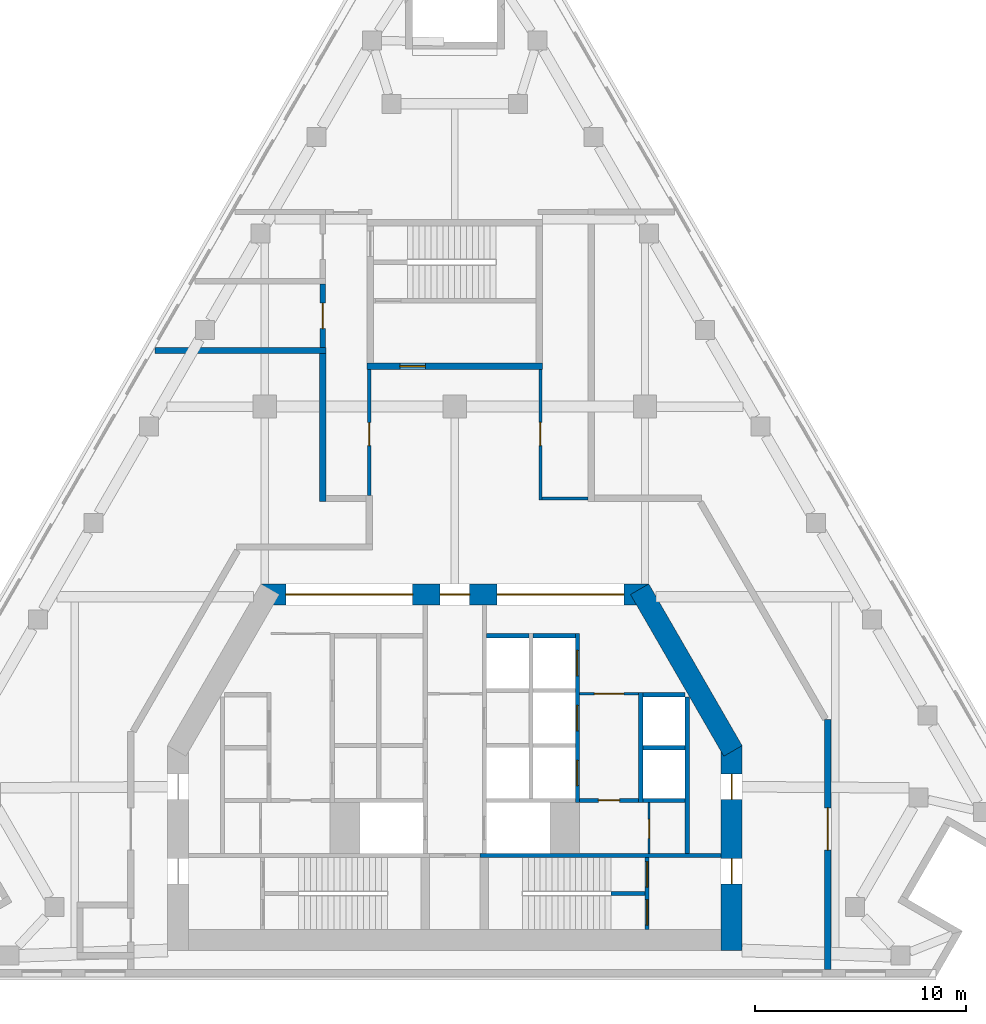
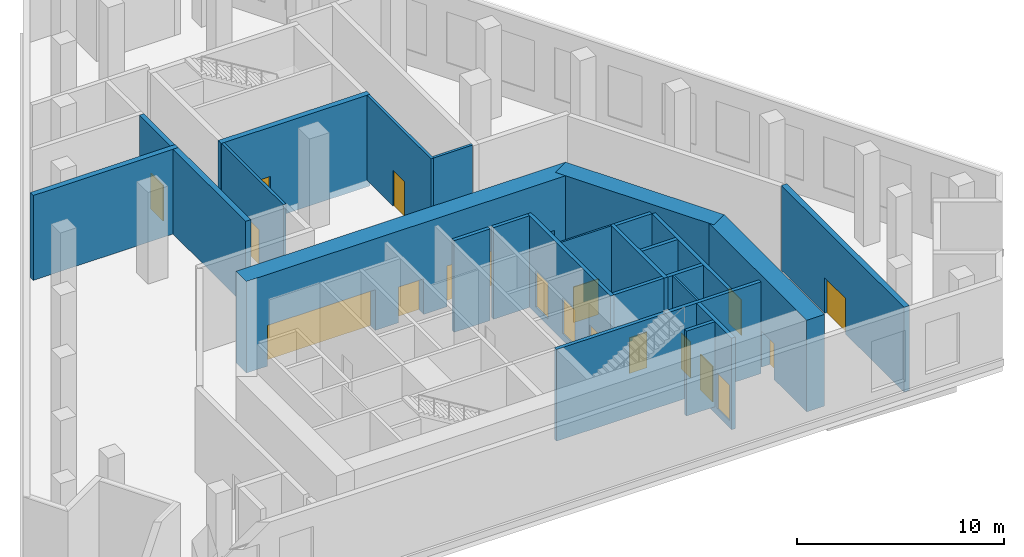
# One storey, part 4 of 7: 25 walls, 18 doors, 18 openings.
"""IFC4 building model written with IfcOpenShell, lengths in metres."""

import ifcopenshell
import ifcopenshell.guid

model = None  # the IFC model being written
_history = None  # IfcOwnerHistory: only IFC2X3 demands one
_inside = {}  # id of a spatial element -> (the spatial element, [elements in it])
_under = {}  # id of a project, library or spatial element -> (it, [spatial elements below it])
_declared = {}  # id of a project -> (the project, [libraries it declares])
_typed = {}  # id of a type object -> (the type object, [elements of that type])
_made_of = {}  # id of a material, layer set ... -> (it, [elements and type objects made of it])


def new_model(schema):
    """Start an empty IFC model of exactly this schema.

    Asked for "IFC4X3", IfcOpenShell would pick the latest addendum, in which some entities
    have other attributes; the version numbers below select the first issue.
    IFC2X3 requires an IfcOwnerHistory on every rooted entity: one is made here for all.
    """
    global model, _history
    if schema == "IFC4X3":
        model = ifcopenshell.file(schema_version=(4, 3, 0, 0))
    else:
        model = ifcopenshell.file(schema=schema)
    _inside.clear()
    _under.clear()
    _declared.clear()
    _typed.clear()
    _made_of.clear()
    _history = None
    if model.schema == "IFC2X3":
        org = make("IfcOrganization", Name="unknown")
        user = make(
            "IfcPersonAndOrganization",
            ThePerson=make("IfcPerson", FamilyName="unknown"),
            TheOrganization=org,
        )
        app = make(
            "IfcApplication",
            ApplicationDeveloper=org,
            Version="unknown",
            ApplicationFullName="unknown",
            ApplicationIdentifier="unknown",
        )
        _history = make(
            "IfcOwnerHistory",
            OwningUser=user,
            OwningApplication=app,
            ChangeAction="ADDED",
            CreationDate=0,
        )
    return model


def make(cls, **values):
    """One entity of the class cls with the attributes given. An attribute that is None is left unset."""
    return model.create_entity(
        cls, **{name: value for name, value in values.items() if value is not None}
    )


def rooted(cls, **values):
    """An entity with a GlobalId (a new one), such as an element, a storey or a relation."""
    return make(cls, GlobalId=ifcopenshell.guid.new(), OwnerHistory=_history, **values)


def si_unit(unit_type, name, prefix=None):
    """IfcSIUnit, for example si_unit("LENGTHUNIT", "METRE", prefix="MILLI")."""
    return make("IfcSIUnit", UnitType=unit_type, Prefix=prefix, Name=name)


def assignment(units):
    """IfcUnitAssignment: the units of a project."""
    return None if units is None else make("IfcUnitAssignment", Units=units)


def point(xyz):
    """IfcCartesianPoint."""
    return None if xyz is None else make("IfcCartesianPoint", Coordinates=xyz)


def direction(xyz):
    """IfcDirection."""
    return None if xyz is None else make("IfcDirection", DirectionRatios=xyz)


def frame(location, z_axis=None, x_axis=None):
    """IfcAxis2Placement3D, a coordinate frame: its origin and axes. An axis left out is left unset."""
    return make(
        "IfcAxis2Placement3D",
        Location=point(location),
        Axis=direction(z_axis),
        RefDirection=direction(x_axis),
    )


def frame_2d(location, x_axis=None):
    """IfcAxis2Placement2D, a coordinate frame in the plane: its origin and x axis."""
    return make(
        "IfcAxis2Placement2D", Location=point(location), RefDirection=direction(x_axis)
    )


def origin():
    """The frame at (0, 0, 0) with its axes left unset."""
    return frame((0.0, 0.0, 0.0))


def place(relative_to, where):
    """IfcLocalPlacement: puts the frame where relative to a parent placement (None: the world)."""
    return make(
        "IfcLocalPlacement", PlacementRelTo=relative_to, RelativePlacement=where
    )


def context(
    kind, dimensions, precision=None, world=None, true_north=None, identifier=None
):
    """IfcGeometricRepresentationContext, for example the 3D "Model" context."""
    return make(
        "IfcGeometricRepresentationContext",
        ContextIdentifier=identifier,
        ContextType=kind,
        CoordinateSpaceDimension=dimensions,
        Precision=precision,
        WorldCoordinateSystem=world,
        TrueNorth=true_north,
    )


def subcontext(parent, identifier, kind, view, scale=None):
    """IfcGeometricRepresentationSubContext, for example "Body" below "Model"."""
    return make(
        "IfcGeometricRepresentationSubContext",
        ContextIdentifier=identifier,
        ContextType=kind,
        ParentContext=parent,
        TargetScale=scale,
        TargetView=view,
    )


def project(units=None, contexts=None):
    """IfcProject with its units and contexts."""
    return rooted(
        "IfcProject",
        Name="project",
        RepresentationContexts=contexts,
        UnitsInContext=assignment(units),
    )


def spatial(cls, under=None, at=None, **own):
    """A site, building, storey or space (cls), placed at a placement, below another one or the project."""
    s = rooted(cls, ObjectPlacement=at, **own)
    if under is not None:
        _under.setdefault(under.id(), (under, []))[1].append(s)
    return s


def profile(cls, at=None, kind="AREA", **sizes):
    """A parametric profile (cls). Its sizes go by their IFC names, for example OverallWidth=200.0."""
    return make(cls, ProfileType=kind, Position=at, **sizes)


def rectangle(**sizes):
    """IfcRectangleProfileDef."""
    return profile("IfcRectangleProfileDef", **sizes)


def extrude(swept, where, along, depth):
    """IfcExtrudedAreaSolid: the profile swept, set in the frame where, extruded along a direction by depth."""
    return make(
        "IfcExtrudedAreaSolid",
        SweptArea=swept,
        Position=where,
        ExtrudedDirection=direction(along),
        Depth=depth,
    )


def shape(context_of_items, identifier, shape_type, items):
    """IfcShapeRepresentation: the items that make up one representation, for example the "Body"."""
    return make(
        "IfcShapeRepresentation",
        ContextOfItems=context_of_items,
        RepresentationIdentifier=identifier,
        RepresentationType=shape_type,
        Items=items,
    )


def material(Name=None, Category=None):
    """IfcMaterial."""
    return make("IfcMaterial", Name=Name, Category=Category)


def layer(
    of_material, thickness, ventilated=None, Name=None, Category=None, Priority=None
):
    """IfcMaterialLayer: one layer of a wall or slab, of a material (None: an air gap)."""
    return make(
        "IfcMaterialLayer",
        Material=of_material,
        LayerThickness=thickness,
        IsVentilated=ventilated,
        Name=Name,
        Category=Category,
        Priority=Priority,
    )


def layer_set(layers, Name=None):
    """IfcMaterialLayerSet."""
    return make("IfcMaterialLayerSet", MaterialLayers=layers, LayerSetName=Name)


def made_of(thing, what):
    """Note that an element or type object is made of a material, layer set ...; save() writes the relation."""
    if what is not None:
        _made_of.setdefault(what.id(), (what, []))[1].append(thing)
    return thing


def type_object(cls, material=None, **own):
    """A type object (cls), such as IfcWallType, which elements share."""
    return made_of(rooted(cls, **own), material)


def element(
    cls,
    number,
    at=None,
    inside=None,
    cuts=None,
    type_object=None,
    material=None,
    context=None,
    identifier="Body",
    shape_type=None,
    held_by="IfcProductDefinitionShape",
    body=None,
    shapes=None,
    **own,
):
    """One element of the class cls, such as IfcWall. Its Tag is "e" and its number.

    at: its placement. inside: the storey or other place that contains it. cuts: it is an
    opening in that element (IfcRelVoidsElement). A single representation is given by context,
    identifier, shape_type and body (its items); several are given by shapes. held_by: the class
    of the entity that holds the representations. save() writes the other relations.
    """
    e = rooted(cls, Tag="e%d" % number, ObjectPlacement=at, **own)
    if body is not None:
        shapes = [shape(context, identifier, shape_type, body)]
    if shapes is not None:
        e.Representation = make(held_by, Representations=shapes)
    if inside is not None:
        _inside.setdefault(inside.id(), (inside, []))[1].append(e)
    if cuts is not None:
        rooted(
            "IfcRelVoidsElement", RelatingBuildingElement=cuts, RelatedOpeningElement=e
        )
    if type_object is not None:
        _typed.setdefault(type_object.id(), (type_object, []))[1].append(e)
    return made_of(e, material)


def fill(opening, filler):
    """IfcRelFillsElement: the door or window that sits in an opening."""
    return rooted(
        "IfcRelFillsElement",
        RelatingOpeningElement=opening,
        RelatedBuildingElement=filler,
    )


def aggregate(whole, parts):
    """IfcRelAggregates: a whole, such as a stair, and the parts it consists of."""
    return rooted("IfcRelAggregates", RelatingObject=whole, RelatedObjects=parts)


def save(model, path):
    """Write the relations noted so far, then the file.

    IfcRelAggregates (storeys below a building ...), IfcRelContainedInSpatialStructure (elements
    in a storey), IfcRelDefinesByType, IfcRelAssociatesMaterial and IfcRelDeclares: one each for
    every whole, place, type object, material and project.
    """
    for whole, parts in _under.values():
        aggregate(whole, parts)
    for where, things in _inside.values():
        rooted(
            "IfcRelContainedInSpatialStructure",
            RelatedElements=things,
            RelatingStructure=where,
        )
    for kind, things in _typed.values():
        rooted("IfcRelDefinesByType", RelatedObjects=things, RelatingType=kind)
    for what, things in _made_of.values():
        rooted("IfcRelAssociatesMaterial", RelatedObjects=things, RelatingMaterial=what)
    for by, libraries in _declared.values():
        rooted("IfcRelDeclares", RelatingContext=by, RelatedDefinitions=libraries)
    model.write(path)


model = new_model("IFC4")

# Units and contexts
model_context = context("Model", 3, precision=1e-05, world=origin(), true_north=direction((0.0, 1.0)))
body_context = subcontext(model_context, "Body", "Model", "MODEL_VIEW")
ifc_project = project(units=[si_unit("LENGTHUNIT", "METRE"), si_unit("AREAUNIT", "SQUARE_METRE"), si_unit("VOLUMEUNIT", "CUBIC_METRE"), si_unit("PLANEANGLEUNIT", "RADIAN"), si_unit("MASSUNIT", "GRAM", prefix="KILO")], contexts=[model_context])

# Site, building, storey
site_placement = place(None, origin())
site = spatial("IfcSite", under=ifc_project, at=site_placement, CompositionType="ELEMENT")
building_placement = place(site_placement, origin())
building = spatial("IfcBuilding", under=site, at=building_placement, Name="Fogline Exchange Tower", CompositionType="ELEMENT")
storey_placement = place(building_placement, frame((0.0, 0.0, 218.10009765625)))
storey = spatial("IfcBuildingStorey", under=building, at=storey_placement, Name="L49", CompositionType="ELEMENT", Elevation=218.10009765625)

# Wall, opening, door
ifc_material_1 = material(Name="Blockwork partition", Category="masonry")
ifc_layer_1 = layer(ifc_material_1, 0.10009765625)
ifc_layer_set_1 = layer_set([ifc_layer_1], Name="CW10")
wall_type_1 = type_object("IfcWallType", Name="CW10", PredefinedType="PARTITIONING", material=ifc_layer_set_1)
wall_1_placement = place(storey_placement, frame((5.89990234375, 13.39990234375, 0.0), z_axis=(0.0, 0.0, 1.0), x_axis=(1.0, 0.0, 0.0)))
wall_1 = element("IfcWall", 1, at=wall_1_placement, inside=storey, type_object=wall_type_1, Name="Lift lobby partition", PredefinedType="PARTITIONING", context=body_context, shape_type="SweptSolid", body=[
    extrude(rectangle(XDim=2.800048828125, YDim=0.10009765625, at=frame_2d((1.39990234375, 0.0))), origin(), (0.0, 0.0, 1.0), 5.0),
])
opening_1_placement = place(wall_1_placement, frame((0.699951171875, 0.0, 0.0)))
opening_1 = element("IfcOpeningElement", 2, at=opening_1_placement, cuts=wall_1, Name="Opening L49-C015", PredefinedType="OPENING", context=body_context, shape_type="SweptSolid", body=[
    extrude(rectangle(XDim=1.39990234375, YDim=2.10009765625, at=frame_2d((0.699951171875, 1.050048828125))), frame((0.0, 0.06005859375, 0.0), z_axis=(0.0, -1.0, 0.0), x_axis=(1.0, 0.0, 0.0)), (0.0, 0.0, 1.0), 0.1201171875),
])
ifc_material_2 = material(Name="Steel and timber fire door", Category="steel")
door_type_1 = type_object("IfcDoorType", Name="D-LB1", OperationType="DOUBLE_DOOR_SINGLE_SWING", PredefinedType="DOOR", material=ifc_material_2)
door_1_placement = place(opening_1_placement, frame((1.39990234375, 0.0, 0.0), z_axis=(0.0, 0.0, 1.0), x_axis=(-1.0, 0.0, 0.0)))
door_1 = element("IfcDoor", 3, at=door_1_placement, inside=storey, type_object=door_type_1, Name="Door to lift lobby", OperationType="DOUBLE_DOOR_SINGLE_SWING", OverallHeight=2.10009765625, OverallWidth=1.39990234375, PredefinedType="DOOR", context=body_context, shape_type="SweptSolid", body=[
    extrude(rectangle(XDim=1.39990234375, YDim=2.10009765625, at=frame_2d((0.699951171875, 1.050048828125))), frame((0.0, 0.02490234375, 0.0), z_axis=(0.0, -1.0, 0.0), x_axis=(1.0, 0.0, 0.0)), (0.0, 0.0, 1.0), 0.050048828125),
])
fill(opening_1, door_1)

wall_2_placement = place(storey_placement, frame((9.199951171875, 5.85009765625, 0.0), z_axis=(0.0, 0.0, 1.0), x_axis=(0.0, 1.0, 0.0)))
wall_2 = element("IfcWall", 4, at=wall_2_placement, inside=storey, type_object=wall_type_1, Name="WC partition", PredefinedType="PARTITIONING", context=body_context, shape_type="SweptSolid", body=[
    extrude(rectangle(XDim=2.39990234375, YDim=0.10009765625, at=frame_2d((1.199951171875, 0.0))), origin(), (0.0, 0.0, 1.0), 5.0),
])
opening_2_placement = place(wall_2_placement, frame((0.699951171875, 0.0, 0.0)))
opening_2 = element("IfcOpeningElement", 5, at=opening_2_placement, cuts=wall_2, Name="Opening L49-C017", PredefinedType="OPENING", context=body_context, shape_type="SweptSolid", body=[
    extrude(rectangle(XDim=0.89990234375, YDim=2.10009765625, at=frame_2d((0.449951171875, 1.050048828125))), frame((0.0, 0.06005859375, 0.0), z_axis=(0.0, -1.0, 0.0), x_axis=(1.0, 0.0, 0.0)), (0.0, 0.0, 1.0), 0.1201171875),
])
door_type_2 = type_object("IfcDoorType", Name="D-CS1", OperationType="SINGLE_SWING_RIGHT", PredefinedType="DOOR", material=ifc_material_2)
door_2_placement = place(opening_2_placement, frame((0.89990234375, 0.0, 0.0), z_axis=(0.0, 0.0, 1.0), x_axis=(-1.0, 0.0, 0.0)))
door_2 = element("IfcDoor", 6, at=door_2_placement, inside=storey, type_object=door_type_2, Name="Door to AHU Room", OperationType="SINGLE_SWING_RIGHT", OverallHeight=2.10009765625, OverallWidth=0.89990234375, PredefinedType="DOOR", context=body_context, shape_type="SweptSolid", body=[
    extrude(rectangle(XDim=0.89990234375, YDim=2.10009765625, at=frame_2d((0.449951171875, 1.050048828125))), frame((0.0, 0.02490234375, 0.0), z_axis=(0.0, -1.0, 0.0), x_axis=(1.0, 0.0, 0.0)), (0.0, 0.0, 1.0), 0.050048828125),
])
fill(opening_2, door_2)

# Wall
ifc_material_3 = material(Name="Concrete C40", Category="concrete")
ifc_layer_2 = layer(ifc_material_3, 0.199951171875)
ifc_layer_set_2 = layer_set([ifc_layer_2], Name="CW20")
wall_type_2 = type_object("IfcWallType", Name="CW20", PredefinedType="SOLIDWALL", material=ifc_layer_set_2)
wall_3_placement = place(storey_placement, frame((11.0, 5.85009765625, 0.0), z_axis=(0.0, 0.0, 1.0), x_axis=(0.0, 1.0, 0.0)))
element("IfcWall", 7, at=wall_3_placement, inside=storey, type_object=wall_type_2, Name="Service room wall", PredefinedType="SOLIDWALL", context=body_context, shape_type="SweptSolid", body=[
    extrude(rectangle(XDim=7.39990234375, YDim=0.199951171875, at=frame_2d((3.699951171875, 0.0))), origin(), (0.0, 0.0, 1.0), 5.0),
])

# Wall, opening, door
wall_4_placement = place(storey_placement, frame((5.89990234375, 8.35009765625, 0.0), z_axis=(0.0, 0.0, 1.0), x_axis=(1.0, 0.0, 0.0)))
wall_4 = element("IfcWall", 8, at=wall_4_placement, inside=storey, type_object=wall_type_2, Name="WC wall", PredefinedType="SOLIDWALL", context=body_context, shape_type="SweptSolid", body=[
    extrude(rectangle(XDim=2.800048828125, YDim=0.199951171875, at=frame_2d((1.39990234375, 0.0))), origin(), (0.0, 0.0, 1.0), 5.0),
])
opening_3_placement = place(wall_4_placement, frame((0.89990234375, 0.0, 0.0)))
opening_3 = element("IfcOpeningElement", 9, at=opening_3_placement, cuts=wall_4, Name="Opening L49-C016", PredefinedType="OPENING", context=body_context, shape_type="SweptSolid", body=[
    extrude(rectangle(XDim=1.0, YDim=2.10009765625, at=frame_2d((0.5, 1.050048828125))), frame((0.0, 0.10986328125, 0.0), z_axis=(0.0, -1.0, 0.0), x_axis=(1.0, 0.0, 0.0)), (0.0, 0.0, 1.0), 0.219970703125),
])
door_type_3 = type_object("IfcDoorType", Name="D-WC1", OperationType="SINGLE_SWING_LEFT", PredefinedType="DOOR", material=ifc_material_2)
door_3_placement = place(opening_3_placement, frame((1.0, 0.0, 0.0), z_axis=(0.0, 0.0, 1.0), x_axis=(-1.0, 0.0, 0.0)))
door_3 = element("IfcDoor", 10, at=door_3_placement, inside=storey, type_object=door_type_3, Name="Door to Women's WC", OperationType="SINGLE_SWING_LEFT", OverallHeight=2.10009765625, OverallWidth=1.0, PredefinedType="DOOR", context=body_context, shape_type="SweptSolid", body=[
    extrude(rectangle(XDim=1.0, YDim=2.10009765625, at=frame_2d((0.5, 1.050048828125))), frame((0.0, 0.02490234375, 0.0), z_axis=(0.0, -1.0, 0.0), x_axis=(1.0, 0.0, 0.0)), (0.0, 0.0, 1.0), 0.050048828125),
])
fill(opening_3, door_3)

# Walls
ifc_layer_3 = layer(ifc_material_3, 0.199951171875)
ifc_layer_set_3 = layer_set([ifc_layer_3], Name="CW20B")
wall_type_3 = type_object("IfcWallType", Name="CW20B", PredefinedType="SOLIDWALL", material=ifc_layer_set_3)
wall_5_placement = place(storey_placement, frame((7.39990234375, 3.949951171875, 0.0), z_axis=(0.0, 0.0, 1.0), x_axis=(1.0, 0.0, 0.0)))
element("IfcWall", 11, at=wall_5_placement, inside=storey, type_object=wall_type_3, Name="Stair separation wall", PredefinedType="SOLIDWALL", context=body_context, shape_type="SweptSolid", body=[
    extrude(rectangle(XDim=1.60009765625, YDim=0.199951171875, at=frame_2d((0.800048828125, 0.0))), origin(), (0.0, 0.0, 1.0), 5.0),
])
ifc_layer_4 = layer(ifc_material_3, 0.199951171875)
ifc_layer_set_4 = layer_set([ifc_layer_4], Name="CW20R")
wall_type_4 = type_object("IfcWallType", Name="CW20R", PredefinedType="SOLIDWALL", material=ifc_layer_set_4)
wall_6_placement = place(storey_placement, frame((1.199951171875, 5.75, -0.400146484375), z_axis=(0.0, 0.0, 1.0), x_axis=(1.0, 0.0, 0.0)))
element("IfcWall", 12, at=wall_6_placement, inside=storey, type_object=wall_type_4, Name="Stair enclosure wall", PredefinedType="SOLIDWALL", context=body_context, shape_type="SweptSolid", body=[
    extrude(rectangle(XDim=11.400146484375, YDim=0.199951171875, at=frame_2d((5.7001953125, 0.0))), origin(), (0.0, 0.0, 1.0), 5.400146484375),
])

# Wall, openings, doors
wall_7_placement = place(storey_placement, frame((9.10009765625, 2.25, -0.400146484375), z_axis=(0.0, 0.0, 1.0), x_axis=(0.0, 1.0, 0.0)))
wall_7 = element("IfcWall", 13, at=wall_7_placement, inside=storey, type_object=wall_type_4, Name="Stair enclosure wall", PredefinedType="SOLIDWALL", context=body_context, shape_type="SweptSolid", body=[
    extrude(rectangle(XDim=3.39990234375, YDim=0.199951171875, at=frame_2d((1.699951171875, 0.0))), origin(), (0.0, 0.0, 1.0), 5.400146484375),
])
opening_4_placement = place(wall_7_placement, frame((0.199951171875, 0.0, 0.39990234375)))
opening_4 = element("IfcOpeningElement", 14, at=opening_4_placement, cuts=wall_7, Name="Opening L49-C019", PredefinedType="OPENING", context=body_context, shape_type="SweptSolid", body=[
    extrude(rectangle(XDim=1.199951171875, YDim=2.10009765625, at=frame_2d((0.60009765625, 1.050048828125))), frame((0.0, 0.10986328125, 0.0), z_axis=(0.0, -1.0, 0.0), x_axis=(1.0, 0.0, 0.0)), (0.0, 0.0, 1.0), 0.219970703125),
])
opening_5_placement = place(wall_7_placement, frame((2.0, 0.0, 0.39990234375)))
opening_5 = element("IfcOpeningElement", 15, at=opening_5_placement, cuts=wall_7, Name="Opening L49-C026", PredefinedType="OPENING", context=body_context, shape_type="SweptSolid", body=[
    extrude(rectangle(XDim=1.199951171875, YDim=2.10009765625, at=frame_2d((0.60009765625, 1.050048828125))), frame((0.0, 0.10986328125, 0.0), z_axis=(0.0, -1.0, 0.0), x_axis=(1.0, 0.0, 0.0)), (0.0, 0.0, 1.0), 0.219970703125),
])
door_type_4 = type_object("IfcDoorType", Name="D-ST1", OperationType="SINGLE_SWING_LEFT", PredefinedType="DOOR", material=ifc_material_2)
door_4_placement = place(opening_4_placement, origin())
door_4 = element("IfcDoor", 16, at=door_4_placement, inside=storey, type_object=door_type_4, Name="Stair door ST2", OperationType="SINGLE_SWING_LEFT", OverallHeight=2.10009765625, OverallWidth=1.199951171875, PredefinedType="DOOR", context=body_context, shape_type="SweptSolid", body=[
    extrude(rectangle(XDim=1.199951171875, YDim=2.10009765625, at=frame_2d((0.60009765625, 1.050048828125))), frame((0.0, 0.02490234375, 0.0), z_axis=(0.0, -1.0, 0.0), x_axis=(1.0, 0.0, 0.0)), (0.0, 0.0, 1.0), 0.050048828125),
])
fill(opening_4, door_4)
door_5_placement = place(opening_5_placement, frame((1.199951171875, 0.0, 0.0), z_axis=(0.0, 0.0, 1.0), x_axis=(-1.0, 0.0, 0.0)))
door_5 = element("IfcDoor", 17, at=door_5_placement, inside=storey, type_object=door_type_4, Name="Stair arrival door ST2", OperationType="SINGLE_SWING_LEFT", OverallHeight=2.10009765625, OverallWidth=1.199951171875, PredefinedType="DOOR", context=body_context, shape_type="SweptSolid", body=[
    extrude(rectangle(XDim=1.199951171875, YDim=2.10009765625, at=frame_2d((0.60009765625, 1.050048828125))), frame((0.0, 0.02490234375, 0.0), z_axis=(0.0, -1.0, 0.0), x_axis=(1.0, 0.0, 0.0)), (0.0, 0.0, 1.0), 0.050048828125),
])
fill(opening_5, door_5)

# Wall
ifc_layer_5 = layer(ifc_material_3, 0.199951171875)
ifc_layer_set_5 = layer_set([ifc_layer_5], Name="CW20S")
wall_type_5 = type_object("IfcWallType", Name="CW20S", PredefinedType="SOLIDWALL", material=ifc_layer_set_5)
wall_8_placement = place(storey_placement, frame((8.800048828125, 8.25, -0.400146484375), z_axis=(0.0, 0.0, 1.0), x_axis=(0.0, 1.0, 0.0)))
element("IfcWall", 18, at=wall_8_placement, inside=storey, type_object=wall_type_5, Name="Lift shaft wall", PredefinedType="SOLIDWALL", context=body_context, shape_type="SweptSolid", body=[
    extrude(rectangle(XDim=5.199951171875, YDim=0.199951171875, at=frame_2d((2.60009765625, 0.0))), origin(), (0.0, 0.0, 1.0), 5.400146484375),
])

# Wall, openings, doors
wall_9_placement = place(storey_placement, frame((5.800048828125, 8.25, -0.400146484375), z_axis=(0.0, 0.0, 1.0), x_axis=(0.0, 1.0, 0.0)))
wall_9 = element("IfcWall", 19, at=wall_9_placement, inside=storey, type_object=wall_type_5, Name="Lift shaft wall", PredefinedType="SOLIDWALL", context=body_context, shape_type="SweptSolid", body=[
    extrude(rectangle(XDim=8.0, YDim=0.199951171875, at=frame_2d((4.0, 0.0))), origin(), (0.0, 0.0, 1.0), 5.400146484375),
])
opening_6_placement = place(wall_9_placement, frame((0.800048828125, 0.0, 0.39990234375)))
opening_6 = element("IfcOpeningElement", 20, at=opening_6_placement, cuts=wall_9, Name="Opening L49-LD02", PredefinedType="OPENING", context=body_context, shape_type="SweptSolid", body=[
    extrude(rectangle(XDim=1.199951171875, YDim=2.10009765625, at=frame_2d((0.60009765625, 1.050048828125))), frame((0.0, 0.10986328125, 0.0), z_axis=(0.0, -1.0, 0.0), x_axis=(1.0, 0.0, 0.0)), (0.0, 0.0, 1.0), 0.219970703125),
])
opening_7_placement = place(wall_9_placement, frame((3.39990234375, 0.0, 0.39990234375)))
opening_7 = element("IfcOpeningElement", 21, at=opening_7_placement, cuts=wall_9, Name="Opening L49-LD03", PredefinedType="OPENING", context=body_context, shape_type="SweptSolid", body=[
    extrude(rectangle(XDim=1.199951171875, YDim=2.10009765625, at=frame_2d((0.60009765625, 1.050048828125))), frame((0.0, 0.10986328125, 0.0), z_axis=(0.0, -1.0, 0.0), x_axis=(1.0, 0.0, 0.0)), (0.0, 0.0, 1.0), 0.219970703125),
])
opening_8_placement = place(wall_9_placement, frame((6.0, 0.0, 0.39990234375)))
opening_8 = element("IfcOpeningElement", 22, at=opening_8_placement, cuts=wall_9, Name="Opening L49-LD04", PredefinedType="OPENING", context=body_context, shape_type="SweptSolid", body=[
    extrude(rectangle(XDim=1.199951171875, YDim=2.10009765625, at=frame_2d((0.60009765625, 1.050048828125))), frame((0.0, 0.10986328125, 0.0), z_axis=(0.0, -1.0, 0.0), x_axis=(1.0, 0.0, 0.0)), (0.0, 0.0, 1.0), 0.219970703125),
])
door_type_5 = type_object("IfcDoorType", Name="LD1", OperationType="SLIDING_TO_LEFT", PredefinedType="DOOR", material=ifc_material_2)
door_6_placement = place(opening_6_placement, origin())
door_6 = element("IfcDoor", 23, at=door_6_placement, inside=storey, type_object=door_type_5, Name="Landing door MR1", OperationType="SLIDING_TO_LEFT", OverallHeight=2.10009765625, OverallWidth=1.199951171875, PredefinedType="DOOR", context=body_context, shape_type="SweptSolid", body=[
    extrude(rectangle(XDim=1.199951171875, YDim=2.10009765625, at=frame_2d((0.60009765625, 1.050048828125))), frame((0.0, 0.02490234375, 0.0), z_axis=(0.0, -1.0, 0.0), x_axis=(1.0, 0.0, 0.0)), (0.0, 0.0, 1.0), 0.050048828125),
])
fill(opening_6, door_6)
door_7_placement = place(opening_7_placement, origin())
door_7 = element("IfcDoor", 24, at=door_7_placement, inside=storey, type_object=door_type_5, Name="Landing door MR2", OperationType="SLIDING_TO_LEFT", OverallHeight=2.10009765625, OverallWidth=1.199951171875, PredefinedType="DOOR", context=body_context, shape_type="SweptSolid", body=[
    extrude(rectangle(XDim=1.199951171875, YDim=2.10009765625, at=frame_2d((0.60009765625, 1.050048828125))), frame((0.0, 0.02490234375, 0.0), z_axis=(0.0, -1.0, 0.0), x_axis=(1.0, 0.0, 0.0)), (0.0, 0.0, 1.0), 0.050048828125),
])
fill(opening_7, door_7)
door_8_placement = place(opening_8_placement, origin())
door_8 = element("IfcDoor", 25, at=door_8_placement, inside=storey, type_object=door_type_5, Name="Landing door MR3", OperationType="SLIDING_TO_LEFT", OverallHeight=2.10009765625, OverallWidth=1.199951171875, PredefinedType="DOOR", context=body_context, shape_type="SweptSolid", body=[
    extrude(rectangle(XDim=1.199951171875, YDim=2.10009765625, at=frame_2d((0.60009765625, 1.050048828125))), frame((0.0, 0.02490234375, 0.0), z_axis=(0.0, -1.0, 0.0), x_axis=(1.0, 0.0, 0.0)), (0.0, 0.0, 1.0), 0.050048828125),
])
fill(opening_8, door_8)

# Walls
for number, where, z_axis, x_axis, name in (
    (26, (8.89990234375, 8.35009765625, -0.400146484375), (0.0, 0.0, 1.0), (1.0, 0.0, 0.0), "Lift shaft wall"),
    (27, (8.89990234375, 10.85009765625, -0.400146484375), (0.0, 0.0, 1.0), (1.0, 0.0, 0.0), "Lift shaft wall"),
    (28, (8.89990234375, 13.35009765625, -0.400146484375), (0.0, 0.0, 1.0), (1.0, 0.0, 0.0), "Lift shaft wall"),
    (29, (3.699951171875, 16.14990234375, -0.400146484375), (0.0, 0.0, 1.0), (1.0, 0.0, 0.0), "Lift shaft wall"),
    (30, (1.5, 16.14990234375, -0.400146484375), (0.0, 0.0, 1.0), (1.0, 0.0, 0.0), "Lift shaft wall"),
):
    element("IfcWall", number, at=place(storey_placement, frame(where, z_axis=z_axis, x_axis=x_axis)), inside=storey, type_object=wall_type_5, Name=name, PredefinedType="SOLIDWALL", context=body_context, shape_type="SweptSolid", body=[
        extrude(rectangle(XDim=2.0, YDim=0.199951171875, at=frame_2d((1.0, 0.0))), origin(), (0.0, 0.0, 1.0), 5.400146484375),
    ])

# Wall, opening, door
ifc_layer_6 = layer(ifc_material_3, 0.300048828125)
ifc_layer_set_6 = layer_set([ifc_layer_6], Name="CW30")
wall_type_6 = type_object("IfcWallType", Name="CW30", PredefinedType="SOLIDWALL", material=ifc_layer_set_6)
wall_10_placement = place(storey_placement, frame((-4.14990234375, 28.906982421875, -0.400146484375), z_axis=(0.0, 0.0, 1.0), x_axis=(1.0, 0.0, 0.0)))
wall_10 = element("IfcWall", 31, at=wall_10_placement, inside=storey, type_object=wall_type_6, Name="Stair enclosure wall ST3", PredefinedType="SOLIDWALL", context=body_context, shape_type="SweptSolid", body=[
    extrude(rectangle(XDim=8.2998046875, YDim=0.300048828125, at=frame_2d((4.14990234375, 0.0))), origin(), (0.0, 0.0, 1.0), 5.400146484375),
])
opening_9_placement = place(wall_10_placement, frame((1.550048828125, 0.0, 0.39990234375)))
opening_9 = element("IfcOpeningElement", 32, at=opening_9_placement, cuts=wall_10, Name="Opening L49-C027", PredefinedType="OPENING", context=body_context, shape_type="SweptSolid", body=[
    extrude(rectangle(XDim=1.199951171875, YDim=2.10009765625, at=frame_2d((0.60009765625, 1.050048828125))), frame((0.0, 0.16015625, 0.0), z_axis=(0.0, -1.0, 0.0), x_axis=(1.0, 0.0, 0.0)), (0.0, 0.0, 1.0), 0.320068359375),
])
door_type_6 = type_object("IfcDoorType", Name="D-FR1", OperationType="SINGLE_SWING_RIGHT", PredefinedType="DOOR", material=ifc_material_2)
door_9_placement = place(opening_9_placement, origin())
door_9 = element("IfcDoor", 33, at=door_9_placement, inside=storey, type_object=door_type_6, Name="Front room door ST3", OperationType="SINGLE_SWING_LEFT", OverallHeight=2.10009765625, OverallWidth=1.199951171875, PredefinedType="DOOR", context=body_context, shape_type="SweptSolid", body=[
    extrude(rectangle(XDim=1.199951171875, YDim=2.10009765625, at=frame_2d((0.60009765625, 1.050048828125))), frame((0.0, 0.02490234375, 0.0), z_axis=(0.0, -1.0, 0.0), x_axis=(1.0, 0.0, 0.0)), (0.0, 0.0, 1.0), 0.050048828125),
])
fill(opening_9, door_9)

ifc_material_4 = material(Name="Plasterboard on steel stud", Category="steel")
ifc_layer_7 = layer(ifc_material_4, 0.14990234375)
ifc_layer_set_7 = layer_set([ifc_layer_7], Name="PP1")
wall_type_7 = type_object("IfcWallType", Name="PP1", PredefinedType="PARTITIONING", material=ifc_layer_set_7)
wall_11_placement = place(storey_placement, frame((4.050048828125, 28.757080078125, 0.0), z_axis=(0.0, 0.0, 1.0), x_axis=(0.0, -1.0, 0.0)))
wall_11 = element("IfcWall", 34, at=wall_11_placement, inside=storey, type_object=wall_type_7, Name="PP1 partition", PredefinedType="PARTITIONING", context=body_context, shape_type="SweptSolid", body=[
    extrude(rectangle(XDim=6.18212890625, YDim=0.14990234375, at=frame_2d((3.091064453125, 0.0))), origin(), (0.0, 0.0, 1.0), 5.0),
])
opening_10_placement = place(wall_11_placement, frame((2.513427734375, 0.0, 0.0)))
opening_10 = element("IfcOpeningElement", 35, at=opening_10_placement, cuts=wall_11, Name="Opening L49-D003", PredefinedType="OPENING", context=body_context, shape_type="SweptSolid", body=[
    extrude(rectangle(XDim=1.10009765625, YDim=2.10009765625, at=frame_2d((0.550048828125, 1.050048828125))), frame((0.0, 0.0849609375, 0.0), z_axis=(0.0, -1.0, 0.0), x_axis=(1.0, 0.0, 0.0)), (0.0, 0.0, 1.0), 0.169921875),
])
ifc_material_5 = material(Name="Steel Q235B", Category="steel")
door_type_7 = type_object("IfcDoorType", Name="PD5", OperationType="SINGLE_SWING_LEFT", PredefinedType="DOOR", material=ifc_material_5)
door_10_placement = place(opening_10_placement, origin())
door_10 = element("IfcDoor", 36, at=door_10_placement, inside=storey, type_object=door_type_7, Name="L49-D003", OperationType="SINGLE_SWING_RIGHT", OverallHeight=2.10009765625, OverallWidth=1.10009765625, PredefinedType="DOOR", context=body_context, shape_type="SweptSolid", body=[
    extrude(rectangle(XDim=1.10009765625, YDim=2.10009765625, at=frame_2d((0.550048828125, 1.050048828125))), frame((0.0, 0.02490234375, 0.0), z_axis=(0.0, -1.0, 0.0), x_axis=(1.0, 0.0, 0.0)), (0.0, 0.0, 1.0), 0.050048828125),
])
fill(opening_10, door_10)

wall_12_placement = place(storey_placement, frame((-4.050048828125, 22.799072265625, 0.0), z_axis=(0.0, 0.0, 1.0), x_axis=(0.0, 1.0, 0.0)))
wall_12 = element("IfcWall", 37, at=wall_12_placement, inside=storey, type_object=wall_type_7, Name="PP1 partition", PredefinedType="PARTITIONING", context=body_context, shape_type="SweptSolid", body=[
    extrude(rectangle(XDim=5.9580078125, YDim=0.14990234375, at=frame_2d((2.97900390625, 0.0))), origin(), (0.0, 0.0, 1.0), 5.0),
])
opening_11_placement = place(wall_12_placement, frame((2.343994140625, 0.0, 0.0)))
opening_11 = element("IfcOpeningElement", 38, at=opening_11_placement, cuts=wall_12, Name="Opening L49-D002", PredefinedType="OPENING", context=body_context, shape_type="SweptSolid", body=[
    extrude(rectangle(XDim=1.10009765625, YDim=2.10009765625, at=frame_2d((0.550048828125, 1.050048828125))), frame((0.0, 0.0849609375, 0.0), z_axis=(0.0, -1.0, 0.0), x_axis=(1.0, 0.0, 0.0)), (0.0, 0.0, 1.0), 0.169921875),
])
door_11_placement = place(opening_11_placement, origin())
door_11 = element("IfcDoor", 39, at=door_11_placement, inside=storey, type_object=door_type_7, Name="L49-D002", OperationType="SINGLE_SWING_LEFT", OverallHeight=2.10009765625, OverallWidth=1.10009765625, PredefinedType="DOOR", context=body_context, shape_type="SweptSolid", body=[
    extrude(rectangle(XDim=1.10009765625, YDim=2.10009765625, at=frame_2d((0.550048828125, 1.050048828125))), frame((0.0, 0.02490234375, 0.0), z_axis=(0.0, -1.0, 0.0), x_axis=(1.0, 0.0, 0.0)), (0.0, 0.0, 1.0), 0.050048828125),
])
fill(opening_11, door_11)

# Wall
wall_13_placement = place(storey_placement, frame((4.125, 22.64990234375, 0.0), z_axis=(0.0, 0.0, 1.0), x_axis=(1.0, 0.0, 0.0)))
element("IfcWall", 40, at=wall_13_placement, inside=storey, type_object=wall_type_7, Name="PP1 partition", PredefinedType="PARTITIONING", context=body_context, shape_type="SweptSolid", body=[
    extrude(rectangle(XDim=2.175048828125, YDim=0.14990234375, at=frame_2d((1.08740234375, 0.0))), origin(), (0.0, 0.0, 1.0), 5.0),
])

# Wall, opening, door
ifc_layer_8 = layer(ifc_material_3, 0.25)
ifc_layer_set_8 = layer_set([ifc_layer_8], Name="PP3")
wall_type_8 = type_object("IfcWallType", Name="PP3", PredefinedType="SOLIDWALL", material=ifc_layer_set_8)
wall_14_placement = place(storey_placement, frame((-6.25, 29.800048828125, 0.0), z_axis=(0.0, 0.0, 1.0), x_axis=(0.0, 1.0, 0.0)))
wall_14 = element("IfcWall", 41, at=wall_14_placement, inside=storey, type_object=wall_type_8, Name="PP3 partition", PredefinedType="SOLIDWALL", context=body_context, shape_type="SweptSolid", body=[
    extrude(rectangle(XDim=3.0029296875, YDim=0.25, at=frame_2d((1.50146484375, 0.0))), origin(), (0.0, 0.0, 1.0), 5.0),
])
opening_12_placement = place(wall_14_placement, frame((0.888916015625, 0.0, 0.0)))
opening_12 = element("IfcOpeningElement", 42, at=opening_12_placement, cuts=wall_14, Name="Opening L49-D005", PredefinedType="OPENING", context=body_context, shape_type="SweptSolid", body=[
    extrude(rectangle(XDim=1.199951171875, YDim=2.10009765625, at=frame_2d((0.60009765625, 1.050048828125))), frame((0.0, 0.135009765625, 0.0), z_axis=(0.0, -1.0, 0.0), x_axis=(1.0, 0.0, 0.0)), (0.0, 0.0, 1.0), 0.27001953125),
])
door_type_8 = type_object("IfcDoorType", Name="PD7", OperationType="SINGLE_SWING_LEFT", PredefinedType="DOOR", material=ifc_material_5)
door_12_placement = place(opening_12_placement, origin())
door_12 = element("IfcDoor", 43, at=door_12_placement, inside=storey, type_object=door_type_8, Name="L49-D005", OperationType="SINGLE_SWING_LEFT", OverallHeight=2.10009765625, OverallWidth=1.199951171875, PredefinedType="DOOR", context=body_context, shape_type="SweptSolid", body=[
    extrude(rectangle(XDim=1.199951171875, YDim=2.10009765625, at=frame_2d((0.60009765625, 1.050048828125))), frame((0.0, 0.02490234375, 0.0), z_axis=(0.0, -1.0, 0.0), x_axis=(1.0, 0.0, 0.0)), (0.0, 0.0, 1.0), 0.050048828125),
])
fill(opening_12, door_12)

ifc_layer_9 = layer(ifc_material_3, 0.300048828125)
ifc_layer_set_9 = layer_set([ifc_layer_9], Name="PP4")
wall_type_9 = type_object("IfcWallType", Name="PP4", PredefinedType="SOLIDWALL", material=ifc_layer_set_9)
wall_15_placement = place(storey_placement, frame((17.64990234375, 12.1806640625, 0.0), z_axis=(0.0, 0.0, 1.0), x_axis=(0.0, -1.0, 0.0)))
wall_15 = element("IfcWall", 44, at=wall_15_placement, inside=storey, type_object=wall_type_9, Name="PP4 partition", PredefinedType="SOLIDWALL", context=body_context, shape_type="SweptSolid", body=[
    extrude(rectangle(XDim=11.840576171875, YDim=0.300048828125, at=frame_2d((5.92041015625, 0.0))), origin(), (0.0, 0.0, 1.0), 5.0),
])
opening_13_placement = place(wall_15_placement, frame((4.1806640625, 0.0, 0.0)))
opening_13 = element("IfcOpeningElement", 45, at=opening_13_placement, cuts=wall_15, Name="Opening L49-D008", PredefinedType="OPENING", context=body_context, shape_type="SweptSolid", body=[
    extrude(rectangle(XDim=2.0, YDim=2.10009765625, at=frame_2d((1.0, 1.050048828125))), frame((0.0, 0.16015625, 0.0), z_axis=(0.0, -1.0, 0.0), x_axis=(1.0, 0.0, 0.0)), (0.0, 0.0, 1.0), 0.320068359375),
])
door_type_9 = type_object("IfcDoorType", Name="PD6", OperationType="DOUBLE_DOOR_SINGLE_SWING", PredefinedType="DOOR", material=ifc_material_5)
door_13_placement = place(opening_13_placement, frame((2.0, 0.0, 0.0), z_axis=(0.0, 0.0, 1.0), x_axis=(-1.0, 0.0, 0.0)))
door_13 = element("IfcDoor", 46, at=door_13_placement, inside=storey, type_object=door_type_9, Name="L49-D008", OperationType="DOUBLE_DOOR_SINGLE_SWING", OverallHeight=2.10009765625, OverallWidth=2.0, PredefinedType="DOOR", context=body_context, shape_type="SweptSolid", body=[
    extrude(rectangle(XDim=2.0, YDim=2.10009765625, at=frame_2d((1.0, 1.050048828125))), frame((0.0, 0.02490234375, 0.0), z_axis=(0.0, -1.0, 0.0), x_axis=(1.0, 0.0, 0.0)), (0.0, 0.0, 1.0), 0.050048828125),
])
fill(opening_13, door_13)

# Walls
wall_16_placement = place(storey_placement, frame((-14.18896484375, 29.64990234375, 0.0), z_axis=(0.0, 0.0, 1.0), x_axis=(1.0, 0.0, 0.0)))
element("IfcWall", 47, at=wall_16_placement, inside=storey, type_object=wall_type_9, Name="PP4 partition", PredefinedType="SOLIDWALL", context=body_context, shape_type="SweptSolid", body=[
    extrude(rectangle(XDim=8.0888671875, YDim=0.300048828125, at=frame_2d((4.04443359375, 0.0))), origin(), (0.0, 0.0, 1.0), 5.0),
])
wall_17_placement = place(storey_placement, frame((-6.25, 22.4990234375, 0.0), z_axis=(0.0, 0.0, 1.0), x_axis=(0.0, 1.0, 0.0)))
element("IfcWall", 48, at=wall_17_placement, inside=storey, type_object=wall_type_9, Name="PP4 partition", PredefinedType="SOLIDWALL", context=body_context, shape_type="SweptSolid", body=[
    extrude(rectangle(XDim=7.0009765625, YDim=0.300048828125, at=frame_2d((3.50048828125, 0.0))), origin(), (0.0, 0.0, 1.0), 5.0),
])

# Wall, openings, doors
ifc_material_6 = material(Name="Concrete C60", Category="concrete")
ifc_layer_10 = layer(ifc_material_6, 1.0)
ifc_layer_set_10 = layer_set([ifc_layer_10], Name="SW03")
wall_type_10 = type_object("IfcWallType", Name="SW03", PredefinedType="SHEAR", material=ifc_layer_set_10)
wall_18_placement = place(storey_placement, frame((13.10009765625, 1.25, 0.0), z_axis=(0.0, 0.0, 1.0), x_axis=(0.0, 1.0, 0.0)))
wall_18 = element("IfcWall", 49, at=wall_18_placement, inside=storey, type_object=wall_type_10, Name="L49-W902", PredefinedType="SHEAR", context=body_context, shape_type="SweptSolid", body=[
    extrude(rectangle(XDim=9.6953125, YDim=1.0, at=frame_2d((4.84765625, 0.0))), origin(), (0.0, 0.0, 1.0), 5.39990234375),
])
opening_14_placement = place(wall_18_placement, frame((3.14990234375, 0.0, 0.0)))
opening_14 = element("IfcOpeningElement", 50, at=opening_14_placement, cuts=wall_18, Name="Opening L49-C018", PredefinedType="OPENING", context=body_context, shape_type="SweptSolid", body=[
    extrude(rectangle(XDim=1.199951171875, YDim=2.10009765625, at=frame_2d((0.60009765625, 1.050048828125))), frame((0.0, 0.510009765625, 0.0), z_axis=(0.0, -1.0, 0.0), x_axis=(1.0, 0.0, 0.0)), (0.0, 0.0, 1.0), 1.02001953125),
])
opening_15_placement = place(wall_18_placement, frame((7.14990234375, 0.0, 0.0)))
opening_15 = element("IfcOpeningElement", 51, at=opening_15_placement, cuts=wall_18, Name="Opening L49-C020", PredefinedType="OPENING", context=body_context, shape_type="SweptSolid", body=[
    extrude(rectangle(XDim=1.199951171875, YDim=2.10009765625, at=frame_2d((0.60009765625, 1.050048828125))), frame((0.0, 0.510009765625, 0.0), z_axis=(0.0, -1.0, 0.0), x_axis=(1.0, 0.0, 0.0)), (0.0, 0.0, 1.0), 1.02001953125),
])
door_14_placement = place(opening_14_placement, origin())
door_14 = element("IfcDoor", 52, at=door_14_placement, inside=storey, type_object=door_type_6, Name="Front room door ST2", OperationType="SINGLE_SWING_RIGHT", OverallHeight=2.10009765625, OverallWidth=1.199951171875, PredefinedType="DOOR", context=body_context, shape_type="SweptSolid", body=[
    extrude(rectangle(XDim=1.199951171875, YDim=2.10009765625, at=frame_2d((0.60009765625, 1.050048828125))), frame((0.0, 0.02490234375, 0.0), z_axis=(0.0, -1.0, 0.0), x_axis=(1.0, 0.0, 0.0)), (0.0, 0.0, 1.0), 0.050048828125),
])
fill(opening_14, door_14)
door_type_10 = type_object("IfcDoorType", Name="D-SV1", OperationType="SINGLE_SWING_LEFT", PredefinedType="DOOR", material=ifc_material_2)
door_15_placement = place(opening_15_placement, origin())
door_15 = element("IfcDoor", 53, at=door_15_placement, inside=storey, type_object=door_type_10, Name="Service door E", OperationType="SINGLE_SWING_RIGHT", OverallHeight=2.10009765625, OverallWidth=1.199951171875, PredefinedType="DOOR", context=body_context, shape_type="SweptSolid", body=[
    extrude(rectangle(XDim=1.199951171875, YDim=2.10009765625, at=frame_2d((0.60009765625, 1.050048828125))), frame((0.0, 0.02490234375, 0.0), z_axis=(0.0, -1.0, 0.0), x_axis=(1.0, 0.0, 0.0)), (0.0, 0.0, 1.0), 0.050048828125),
])
fill(opening_15, door_15)

# Wall
wall_19_placement = place(storey_placement, frame((13.1669921875, 10.6953125, 0.0), z_axis=(0.0, 0.0, 1.0), x_axis=(-0.499995021168, 0.866028278295, 0.0)))
element("IfcWall", 54, at=wall_19_placement, inside=storey, type_object=wall_type_10, Name="L49-W903", PredefinedType="SHEAR", context=body_context, shape_type="SweptSolid", body=[
    extrude(rectangle(XDim=8.8388671875, YDim=1.0, at=frame_2d((4.41943359375, 0.0))), origin(), (0.0, 0.0, 1.0), 5.39990234375),
])

# Wall, openings, doors
wall_20_placement = place(storey_placement, frame((9.1806640625, 18.10009765625, 0.0), z_axis=(0.0, 0.0, 1.0), x_axis=(-1.0, 0.0, 0.0)))
wall_20 = element("IfcWall", 55, at=wall_20_placement, inside=storey, type_object=wall_type_10, Name="L49-W904", PredefinedType="SHEAR", context=body_context, shape_type="SweptSolid", body=[
    extrude(rectangle(XDim=18.361328125, YDim=1.0, at=frame_2d((9.1806640625, 0.0))), origin(), (0.0, 0.0, 1.0), 5.39990234375),
])
opening_16_placement = place(wall_20_placement, frame((8.480712890625, 0.0, 0.0)))
opening_16 = element("IfcOpeningElement", 56, at=opening_16_placement, cuts=wall_20, Name="Opening L49-C022", PredefinedType="OPENING", context=body_context, shape_type="SweptSolid", body=[
    extrude(rectangle(XDim=1.39990234375, YDim=2.10009765625, at=frame_2d((0.699951171875, 1.050048828125))), frame((0.0, 0.510009765625, 0.0), z_axis=(0.0, -1.0, 0.0), x_axis=(1.0, 0.0, 0.0)), (0.0, 0.0, 1.0), 1.02001953125),
])
opening_17_placement = place(wall_20_placement, frame((11.1806640625, 0.0, 0.0)))
opening_17 = element("IfcOpeningElement", 57, at=opening_17_placement, cuts=wall_20, Name="Opening L49-C023", PredefinedType="OPENING", context=body_context, shape_type="SweptSolid", body=[
    extrude(rectangle(XDim=6.0, YDim=2.39990234375, at=frame_2d((3.0, 1.199951171875))), frame((0.0, 0.510009765625, 0.0), z_axis=(0.0, -1.0, 0.0), x_axis=(1.0, 0.0, 0.0)), (0.0, 0.0, 1.0), 1.02001953125),
])
opening_18_placement = place(wall_20_placement, frame((1.1806640625, 0.0, 0.0)))
opening_18 = element("IfcOpeningElement", 58, at=opening_18_placement, cuts=wall_20, Name="Opening L49-C024", PredefinedType="OPENING", context=body_context, shape_type="SweptSolid", body=[
    extrude(rectangle(XDim=6.0, YDim=2.39990234375, at=frame_2d((3.0, 1.199951171875))), frame((0.0, 0.510009765625, 0.0), z_axis=(0.0, -1.0, 0.0), x_axis=(1.0, 0.0, 0.0)), (0.0, 0.0, 1.0), 1.02001953125),
])
door_16_placement = place(opening_16_placement, origin())
door_16 = element("IfcDoor", 59, at=door_16_placement, inside=storey, type_object=door_type_1, Name="Protected lobby door", OperationType="DOUBLE_DOOR_SINGLE_SWING", OverallHeight=2.10009765625, OverallWidth=1.39990234375, PredefinedType="DOOR", context=body_context, shape_type="SweptSolid", body=[
    extrude(rectangle(XDim=1.39990234375, YDim=2.10009765625, at=frame_2d((0.699951171875, 1.050048828125))), frame((0.0, 0.02490234375, 0.0), z_axis=(0.0, -1.0, 0.0), x_axis=(1.0, 0.0, 0.0)), (0.0, 0.0, 1.0), 0.050048828125),
])
fill(opening_16, door_16)
door_type_11 = type_object("IfcDoorType", Name="D-LE1", OperationType="DOUBLE_DOOR_SLIDING", PredefinedType="DOOR", material=ifc_material_2)
door_17_placement = place(opening_17_placement, origin())
door_17 = element("IfcDoor", 60, at=door_17_placement, inside=storey, type_object=door_type_11, Name="Lift lobby entrance west", OperationType="DOUBLE_DOOR_SLIDING", OverallHeight=2.39990234375, OverallWidth=6.0, PredefinedType="DOOR", context=body_context, shape_type="SweptSolid", body=[
    extrude(rectangle(XDim=6.0, YDim=2.39990234375, at=frame_2d((3.0, 1.199951171875))), frame((0.0, 0.02490234375, 0.0), z_axis=(0.0, -1.0, 0.0), x_axis=(1.0, 0.0, 0.0)), (0.0, 0.0, 1.0), 0.050048828125),
])
fill(opening_17, door_17)
door_18_placement = place(opening_18_placement, origin())
door_18 = element("IfcDoor", 61, at=door_18_placement, inside=storey, type_object=door_type_11, Name="Lift lobby entrance east", OperationType="DOUBLE_DOOR_SLIDING", OverallHeight=2.39990234375, OverallWidth=6.0, PredefinedType="DOOR", context=body_context, shape_type="SweptSolid", body=[
    extrude(rectangle(XDim=6.0, YDim=2.39990234375, at=frame_2d((3.0, 1.199951171875))), frame((0.0, 0.02490234375, 0.0), z_axis=(0.0, -1.0, 0.0), x_axis=(1.0, 0.0, 0.0)), (0.0, 0.0, 1.0), 0.050048828125),
])
fill(opening_18, door_18)

save(model, "model.ifc")
